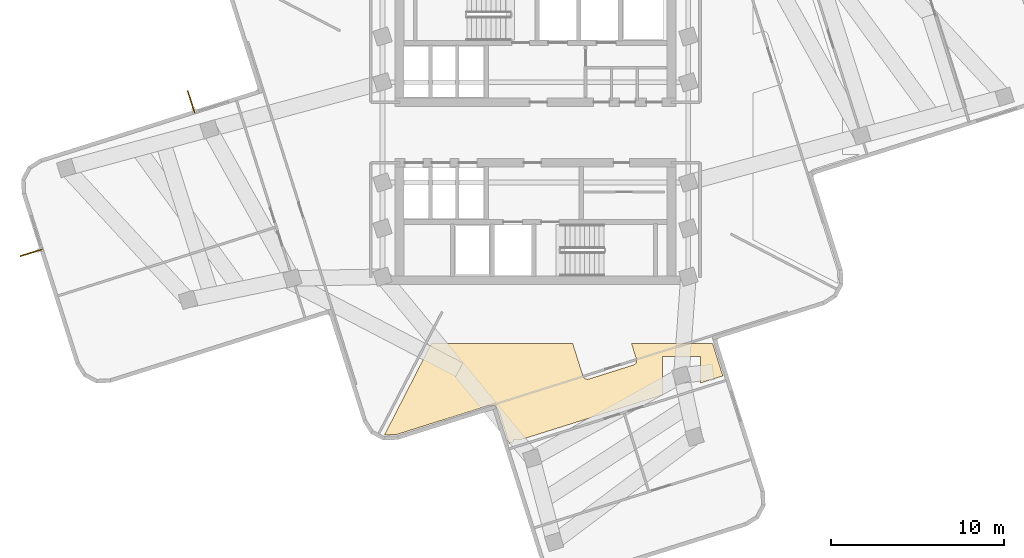
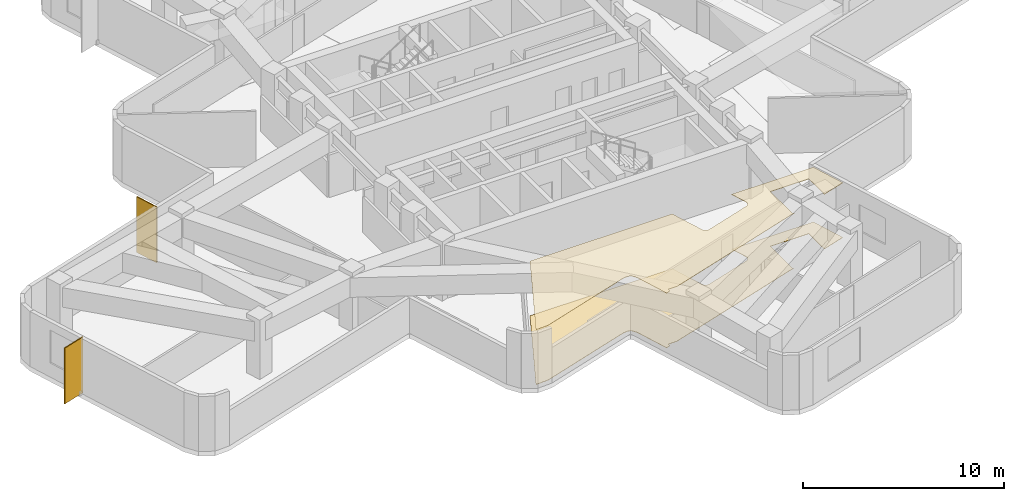
# One storey, part 6 of 8: 2 coverings, 2 shading devices.
"""IFC4 building model written with IfcOpenShell, lengths in metres."""

from ifc_helpers import new_model, si_unit, direction, frame, origin, origin_2d, place, context, subcontext, project, spatial, polyline, rectangle, outline, extrude, material, layer, layer_set, type_object, element, save


model = new_model("IFC4")

# Units and contexts
model_context = context("Model", 3, precision=1e-05, world=origin(), true_north=direction((0.0, 1.0)))
body_context = subcontext(model_context, "Body", "Model", "MODEL_VIEW")
ifc_project = project(units=[si_unit("LENGTHUNIT", "METRE"), si_unit("AREAUNIT", "SQUARE_METRE"), si_unit("VOLUMEUNIT", "CUBIC_METRE"), si_unit("PLANEANGLEUNIT", "RADIAN"), si_unit("MASSUNIT", "GRAM", prefix="KILO")], contexts=[model_context])

# Site, building, storey
site_placement = place(None, origin())
site = spatial("IfcSite", under=ifc_project, at=site_placement, CompositionType="ELEMENT")
building_placement = place(site_placement, origin())
building = spatial("IfcBuilding", under=site, at=building_placement, Name="Solmarez Civic Tower", CompositionType="ELEMENT")
storey_placement = place(building_placement, frame((0.0, 0.0, 152.280029296875)))
storey = spatial("IfcBuildingStorey", under=building, at=storey_placement, Name="L40", CompositionType="ELEMENT", Elevation=152.280029296875)

# Coverings
ifc_material_1 = material(Name="Perforated Mineral-Fibre Acoustic Ceiling")
ifc_layer_1 = layer(ifc_material_1, 0.02490234375)
ifc_layer_set_1 = layer_set([ifc_layer_1], Name="Perforated Mineral-Fibre Acoustic Ceiling")
covering_type_1 = type_object("IfcCoveringType", Name="COV-CEIL-ACOUSTIC", PredefinedType="CEILING", material=ifc_layer_set_1)
covering_1_placement = place(storey_placement, frame((0.0, 0.0, 3.31494140625)))
element("IfcCovering", 1, at=covering_1_placement, inside=storey, type_object=covering_type_1, Name="L40 Suspended Acoustic Ceiling 2", PredefinedType="CEILING", context=body_context, shape_type="SweptSolid", body=[
    extrude(outline(polyline([(10.257080078125, -12.22509765625), (10.2548828125, -12.219970703125), (10.2509765625, -12.199951171875), (5.550048828125, -12.199951171875), (5.841064453125, -13.12109375), (5.846923828125, -13.14404296875), (5.847900390625, -13.14892578125), (5.84912109375, -13.154052734375), (5.85205078125, -13.175048828125), (5.85302734375, -13.197021484375), (5.85302734375, -13.2060546875), (5.85205078125, -13.22802734375), (5.84912109375, -13.2490234375), (5.847900390625, -13.25390625), (5.846923828125, -13.259033203125), (5.842041015625, -13.279052734375), (5.8349609375, -13.298095703125), (5.8330078125, -13.302978515625), (5.825927734375, -13.319091796875), (5.822021484375, -13.326904296875), (5.81201171875, -13.344970703125), (5.798095703125, -13.364990234375), (5.778076171875, -13.388916015625), (5.77099609375, -13.39599609375), (5.742919921875, -13.4189453125), (5.72802734375, -13.429931640625), (5.719970703125, -13.43505859375), (5.702880859375, -13.444091796875), (5.68505859375, -13.451904296875), (5.679931640625, -13.4541015625), (5.6640625, -13.4599609375), (3.089111328125, -14.27197265625), (3.06591796875, -14.278076171875), (3.06103515625, -14.279052734375), (3.055908203125, -14.280029296875), (3.034912109375, -14.282958984375), (3.012939453125, -14.283935546875), (3.00390625, -14.283935546875), (2.98193359375, -14.282958984375), (2.9609375, -14.280029296875), (2.9560546875, -14.279052734375), (2.950927734375, -14.278076171875), (2.927001953125, -14.27197265625), (2.905029296875, -14.262939453125), (2.89599609375, -14.259033203125), (2.867919921875, -14.2451171875), (2.860107421875, -14.239990234375), (2.841064453125, -14.22607421875), (2.824951171875, -14.212890625), (2.81005859375, -14.197998046875), (2.797119140625, -14.181884765625), (2.791015625, -14.174072265625), (2.780029296875, -14.158935546875), (2.77490234375, -14.15087890625), (2.76611328125, -14.134033203125), (2.758056640625, -14.115966796875), (2.756103515625, -14.111083984375), (2.75, -14.094970703125), (2.152099609375, -12.199951171875), (-6.013916015625, -12.199951171875), (-8.735107421875, -17.50390625), (-8.72998046875, -17.507080078125), (-8.02197265625, -17.47509765625), (-2.748046875, -15.81103515625), (-2.741943359375, -15.80908203125), (-2.735107421875, -15.806884765625), (-2.7109375, -15.802001953125), (-2.705078125, -15.801025390625), (-2.699951171875, -15.800048828125), (-2.693115234375, -15.799072265625), (-2.672119140625, -15.797119140625), (-2.5, -15.7890625), (-2.489990234375, -15.7890625), (-2.48193359375, -15.7890625), (-2.450927734375, -15.791015625), (-2.444091796875, -15.7919921875), (-2.422119140625, -15.797119140625), (-2.4140625, -15.799072265625), (-2.406982421875, -15.800048828125), (-2.39990234375, -15.802001953125), (-2.373046875, -15.81201171875), (-2.365966796875, -15.81494140625), (-2.35888671875, -15.818115234375), (-2.341064453125, -15.826904296875), (-2.323974609375, -15.8369140625), (-2.318115234375, -15.841064453125), (-2.299072265625, -15.85498046875), (-2.29296875, -15.860107421875), (-2.287109375, -15.864990234375), (-2.27197265625, -15.8779296875), (-2.259033203125, -15.89306640625), (-2.25390625, -15.89892578125), (-2.239990234375, -15.91796875), (-2.23388671875, -15.927001953125), (-2.14111328125, -16.072021484375), (-2.12890625, -16.093017578125), (-2.1259765625, -16.09912109375), (-2.12109375, -16.110107421875), (-2.117919921875, -16.116943359375), (-2.111083984375, -16.134033203125), (-2.10791015625, -16.14404296875), (-1.52392578125, -17.992919921875), (-1.282958984375, -17.9169921875), (-1.282958984375, -17.760009765625), (-0.785888671875, -17.760009765625), (7.43896484375, -15.1640625), (7.344970703125, -15.1640625), (7.344970703125, -12.964111328125), (9.544921875, -12.964111328125), (9.544921875, -14.4990234375), (10.843994140625, -14.089111328125), (10.260009765625, -12.239013671875), (10.257080078125, -12.22509765625)])), origin(), (0.0, 0.0, 1.0), 0.025146484375),
])
ifc_material_2 = material(Name="Polished Tropical Stone Terrazzo Flooring", Category="masonry")
ifc_layer_2 = layer(ifc_material_2, 0.02001953125)
ifc_layer_set_2 = layer_set([ifc_layer_2], Name="Polished Tropical Stone Terrazzo Flooring")
covering_type_2 = type_object("IfcCoveringType", Name="COV-FLOOR-TERRAZZO", PredefinedType="FLOORING", material=ifc_layer_set_2)
covering_2_placement = place(storey_placement, origin())
element("IfcCovering", 2, at=covering_2_placement, inside=storey, type_object=covering_type_2, Name="L40 Terrazzo Floor Finish 2", PredefinedType="FLOORING", context=body_context, shape_type="SweptSolid", body=[
    extrude(outline(polyline([(10.257080078125, -12.22509765625), (10.2548828125, -12.219970703125), (10.2509765625, -12.199951171875), (5.550048828125, -12.199951171875), (5.841064453125, -13.12109375), (5.846923828125, -13.14404296875), (5.847900390625, -13.14892578125), (5.84912109375, -13.154052734375), (5.85205078125, -13.175048828125), (5.85302734375, -13.197021484375), (5.85302734375, -13.2060546875), (5.85205078125, -13.22802734375), (5.84912109375, -13.2490234375), (5.847900390625, -13.25390625), (5.846923828125, -13.259033203125), (5.842041015625, -13.279052734375), (5.8349609375, -13.298095703125), (5.8330078125, -13.302978515625), (5.825927734375, -13.319091796875), (5.822021484375, -13.326904296875), (5.81201171875, -13.344970703125), (5.798095703125, -13.364990234375), (5.778076171875, -13.388916015625), (5.77099609375, -13.39599609375), (5.742919921875, -13.4189453125), (5.72802734375, -13.429931640625), (5.719970703125, -13.43505859375), (5.702880859375, -13.444091796875), (5.68505859375, -13.451904296875), (5.679931640625, -13.4541015625), (5.6640625, -13.4599609375), (3.089111328125, -14.27197265625), (3.06591796875, -14.278076171875), (3.06103515625, -14.279052734375), (3.055908203125, -14.280029296875), (3.034912109375, -14.282958984375), (3.012939453125, -14.283935546875), (3.00390625, -14.283935546875), (2.98193359375, -14.282958984375), (2.9609375, -14.280029296875), (2.9560546875, -14.279052734375), (2.950927734375, -14.278076171875), (2.927001953125, -14.27197265625), (2.905029296875, -14.262939453125), (2.89599609375, -14.259033203125), (2.867919921875, -14.2451171875), (2.860107421875, -14.239990234375), (2.841064453125, -14.22607421875), (2.824951171875, -14.212890625), (2.81005859375, -14.197998046875), (2.797119140625, -14.181884765625), (2.791015625, -14.174072265625), (2.780029296875, -14.158935546875), (2.77490234375, -14.15087890625), (2.76611328125, -14.134033203125), (2.758056640625, -14.115966796875), (2.756103515625, -14.111083984375), (2.75, -14.094970703125), (2.152099609375, -12.199951171875), (-6.013916015625, -12.199951171875), (-8.735107421875, -17.50390625), (-8.72998046875, -17.507080078125), (-8.02197265625, -17.47509765625), (-2.748046875, -15.81103515625), (-2.741943359375, -15.80908203125), (-2.735107421875, -15.806884765625), (-2.7109375, -15.802001953125), (-2.705078125, -15.801025390625), (-2.699951171875, -15.800048828125), (-2.693115234375, -15.799072265625), (-2.672119140625, -15.797119140625), (-2.5, -15.7890625), (-2.489990234375, -15.7890625), (-2.48193359375, -15.7890625), (-2.450927734375, -15.791015625), (-2.444091796875, -15.7919921875), (-2.422119140625, -15.797119140625), (-2.4140625, -15.799072265625), (-2.406982421875, -15.800048828125), (-2.39990234375, -15.802001953125), (-2.373046875, -15.81201171875), (-2.365966796875, -15.81494140625), (-2.35888671875, -15.818115234375), (-2.341064453125, -15.826904296875), (-2.323974609375, -15.8369140625), (-2.318115234375, -15.841064453125), (-2.299072265625, -15.85498046875), (-2.29296875, -15.860107421875), (-2.287109375, -15.864990234375), (-2.27197265625, -15.8779296875), (-2.259033203125, -15.89306640625), (-2.25390625, -15.89892578125), (-2.239990234375, -15.91796875), (-2.23388671875, -15.927001953125), (-2.14111328125, -16.072021484375), (-2.12890625, -16.093017578125), (-2.1259765625, -16.09912109375), (-2.12109375, -16.110107421875), (-2.117919921875, -16.116943359375), (-2.111083984375, -16.134033203125), (-2.10791015625, -16.14404296875), (-1.52392578125, -17.992919921875), (-1.282958984375, -17.9169921875), (-1.282958984375, -17.760009765625), (-0.785888671875, -17.760009765625), (7.43896484375, -15.1640625), (7.344970703125, -15.1640625), (7.344970703125, -12.964111328125), (9.544921875, -12.964111328125), (9.544921875, -14.4990234375), (10.843994140625, -14.089111328125), (10.260009765625, -12.239013671875), (10.257080078125, -12.22509765625)])), origin(), (0.0, 0.0, 1.0), 0.02001953125),
])

# Shading devices
ifc_material_3 = material(Name="Bronze Anodised Aluminium EN AW-6063 T6", Category="aluminium")
ifc_layer_3 = layer(ifc_material_3, 0.06005859375)
ifc_layer_set_3 = layer_set([ifc_layer_3], Name="Bronze Anodised Aluminium EN AW-6063 T6")
shading_device_type = type_object("IfcShadingDeviceType", Name="FIN-BRONZE-Z34", PredefinedType="USERDEFINED", material=ifc_layer_set_3)
for number, where, z_axis, x_axis, name in (
    (3, (-29.173095703125, -6.9609375, -0.0400390625), (0.0, 0.0, 1.0), (-0.953884747795, -0.300173096603, 0.0), "L40 Anodised Bronze Solar Fin FIN-L40-01"),
    (4, (-19.9208984375, 1.77001953125, -0.0400390625), (0.0, 0.0, 1.0), (-0.300139799561, 0.953895225231, 0.0), "L40 Anodised Bronze Solar Fin FIN-L40-02"),
):
    element("IfcShadingDevice", number, at=place(storey_placement, frame(where, z_axis=z_axis, x_axis=x_axis)), inside=storey, type_object=shading_device_type, Name=name, ObjectType="FIN", PredefinedType="USERDEFINED", context=body_context, shape_type="SweptSolid", body=[
        extrude(rectangle(XDim=1.35009765625, YDim=0.06005859375, at=origin_2d()), origin(), (0.0, 0.0, 1.0), 3.3798828125),
    ])

save(model, "model.ifc")
